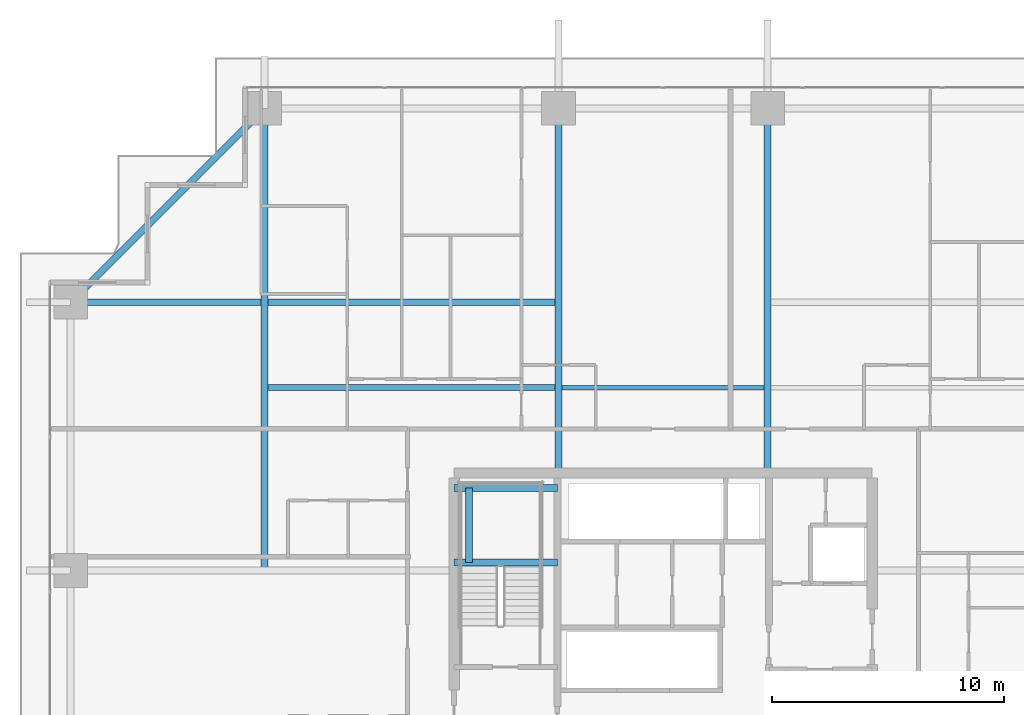
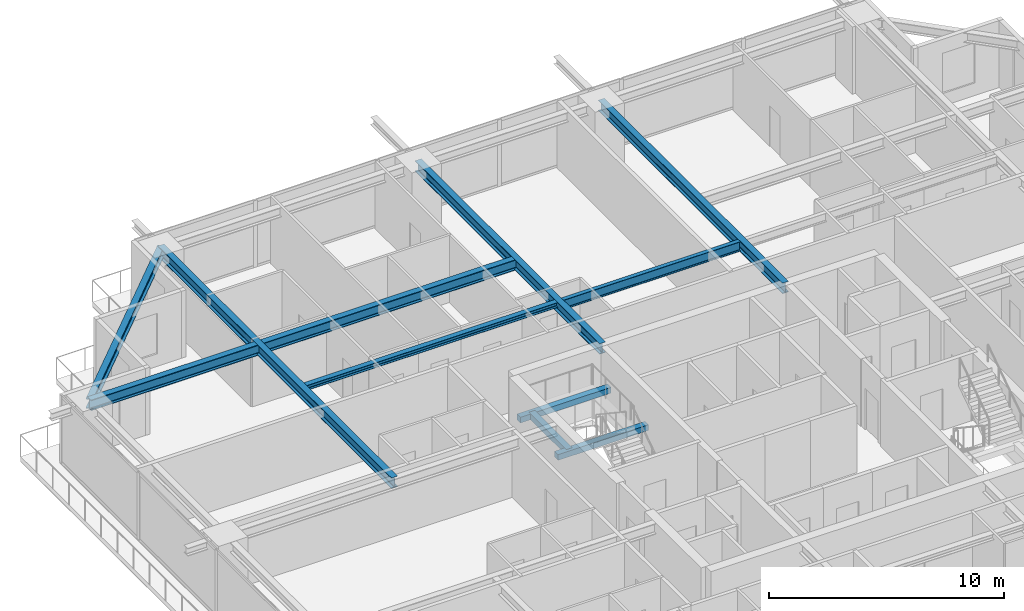
# One storey, part 19 of 39: 10 beams.
"""IFC4 building model written with IfcOpenShell, lengths in metres."""

import ifcopenshell
import ifcopenshell.guid

model = None  # the IFC model being written
_history = None  # IfcOwnerHistory: only IFC2X3 demands one
_inside = {}  # id of a spatial element -> (the spatial element, [elements in it])
_under = {}  # id of a project, library or spatial element -> (it, [spatial elements below it])
_declared = {}  # id of a project -> (the project, [libraries it declares])
_typed = {}  # id of a type object -> (the type object, [elements of that type])
_made_of = {}  # id of a material, layer set ... -> (it, [elements and type objects made of it])


def new_model(schema):
    """Start an empty IFC model of exactly this schema.

    Asked for "IFC4X3", IfcOpenShell would pick the latest addendum, in which some entities
    have other attributes; the version numbers below select the first issue.
    IFC2X3 requires an IfcOwnerHistory on every rooted entity: one is made here for all.
    """
    global model, _history
    if schema == "IFC4X3":
        model = ifcopenshell.file(schema_version=(4, 3, 0, 0))
    else:
        model = ifcopenshell.file(schema=schema)
    _inside.clear()
    _under.clear()
    _declared.clear()
    _typed.clear()
    _made_of.clear()
    _history = None
    if model.schema == "IFC2X3":
        org = make("IfcOrganization", Name="unknown")
        user = make(
            "IfcPersonAndOrganization",
            ThePerson=make("IfcPerson", FamilyName="unknown"),
            TheOrganization=org,
        )
        app = make(
            "IfcApplication",
            ApplicationDeveloper=org,
            Version="unknown",
            ApplicationFullName="unknown",
            ApplicationIdentifier="unknown",
        )
        _history = make(
            "IfcOwnerHistory",
            OwningUser=user,
            OwningApplication=app,
            ChangeAction="ADDED",
            CreationDate=0,
        )
    return model


def make(cls, **values):
    """One entity of the class cls with the attributes given. An attribute that is None is left unset."""
    return model.create_entity(
        cls, **{name: value for name, value in values.items() if value is not None}
    )


def rooted(cls, **values):
    """An entity with a GlobalId (a new one), such as an element, a storey or a relation."""
    return make(cls, GlobalId=ifcopenshell.guid.new(), OwnerHistory=_history, **values)


def si_unit(unit_type, name, prefix=None):
    """IfcSIUnit, for example si_unit("LENGTHUNIT", "METRE", prefix="MILLI")."""
    return make("IfcSIUnit", UnitType=unit_type, Prefix=prefix, Name=name)


def assignment(units):
    """IfcUnitAssignment: the units of a project."""
    return None if units is None else make("IfcUnitAssignment", Units=units)


def point(xyz):
    """IfcCartesianPoint."""
    return None if xyz is None else make("IfcCartesianPoint", Coordinates=xyz)


def direction(xyz):
    """IfcDirection."""
    return None if xyz is None else make("IfcDirection", DirectionRatios=xyz)


def frame(location, z_axis=None, x_axis=None):
    """IfcAxis2Placement3D, a coordinate frame: its origin and axes. An axis left out is left unset."""
    return make(
        "IfcAxis2Placement3D",
        Location=point(location),
        Axis=direction(z_axis),
        RefDirection=direction(x_axis),
    )


def frame_2d(location, x_axis=None):
    """IfcAxis2Placement2D, a coordinate frame in the plane: its origin and x axis."""
    return make(
        "IfcAxis2Placement2D", Location=point(location), RefDirection=direction(x_axis)
    )


def origin():
    """The frame at (0, 0, 0) with its axes left unset."""
    return frame((0.0, 0.0, 0.0))


def origin_2d():
    """The frame at (0, 0) in the plane with its x axis left unset."""
    return frame_2d((0.0, 0.0))


def place(relative_to, where):
    """IfcLocalPlacement: puts the frame where relative to a parent placement (None: the world)."""
    return make(
        "IfcLocalPlacement", PlacementRelTo=relative_to, RelativePlacement=where
    )


def context(
    kind, dimensions, precision=None, world=None, true_north=None, identifier=None
):
    """IfcGeometricRepresentationContext, for example the 3D "Model" context."""
    return make(
        "IfcGeometricRepresentationContext",
        ContextIdentifier=identifier,
        ContextType=kind,
        CoordinateSpaceDimension=dimensions,
        Precision=precision,
        WorldCoordinateSystem=world,
        TrueNorth=true_north,
    )


def subcontext(parent, identifier, kind, view, scale=None):
    """IfcGeometricRepresentationSubContext, for example "Body" below "Model"."""
    return make(
        "IfcGeometricRepresentationSubContext",
        ContextIdentifier=identifier,
        ContextType=kind,
        ParentContext=parent,
        TargetScale=scale,
        TargetView=view,
    )


def project(units=None, contexts=None):
    """IfcProject with its units and contexts."""
    return rooted(
        "IfcProject",
        Name="project",
        RepresentationContexts=contexts,
        UnitsInContext=assignment(units),
    )


def spatial(cls, under=None, at=None, **own):
    """A site, building, storey or space (cls), placed at a placement, below another one or the project."""
    s = rooted(cls, ObjectPlacement=at, **own)
    if under is not None:
        _under.setdefault(under.id(), (under, []))[1].append(s)
    return s


def profile(cls, at=None, kind="AREA", **sizes):
    """A parametric profile (cls). Its sizes go by their IFC names, for example OverallWidth=200.0."""
    return make(cls, ProfileType=kind, Position=at, **sizes)


def rectangle(**sizes):
    """IfcRectangleProfileDef."""
    return profile("IfcRectangleProfileDef", **sizes)


def i_section(**sizes):
    """IfcIShapeProfileDef."""
    return profile("IfcIShapeProfileDef", **sizes)


def extrude(swept, where, along, depth):
    """IfcExtrudedAreaSolid: the profile swept, set in the frame where, extruded along a direction by depth."""
    return make(
        "IfcExtrudedAreaSolid",
        SweptArea=swept,
        Position=where,
        ExtrudedDirection=direction(along),
        Depth=depth,
    )


def shape(context_of_items, identifier, shape_type, items):
    """IfcShapeRepresentation: the items that make up one representation, for example the "Body"."""
    return make(
        "IfcShapeRepresentation",
        ContextOfItems=context_of_items,
        RepresentationIdentifier=identifier,
        RepresentationType=shape_type,
        Items=items,
    )


def source(mapping_origin, context_of_items, identifier, shape_type, items):
    """IfcRepresentationMap: a shape defined once, which mapped items show again and again."""
    return make(
        "IfcRepresentationMap",
        MappingOrigin=mapping_origin,
        MappedRepresentation=shape(context_of_items, identifier, shape_type, items),
    )


def transform(
    local_origin,
    x_axis=None,
    y_axis=None,
    z_axis=None,
    scale=None,
    scale2=None,
    scale3=None,
    uniform=True,
):
    """IfcCartesianTransformationOperator3D, or its non-uniform kind. x_axis, y_axis, z_axis: its Axis1, 2, 3."""
    if uniform:
        return make(
            "IfcCartesianTransformationOperator3D",
            Axis1=direction(x_axis),
            Axis2=direction(y_axis),
            LocalOrigin=point(local_origin),
            Scale=scale,
            Axis3=direction(z_axis),
        )
    return make(
        "IfcCartesianTransformationOperator3DnonUniform",
        Axis1=direction(x_axis),
        Axis2=direction(y_axis),
        LocalOrigin=point(local_origin),
        Scale=scale,
        Axis3=direction(z_axis),
        Scale2=scale2,
        Scale3=scale3,
    )


def mapped(mapping_source, mapping_target):
    """IfcMappedItem: shows the shape of a source again, moved by a transform."""
    return make(
        "IfcMappedItem", MappingSource=mapping_source, MappingTarget=mapping_target
    )


def material(Name=None, Category=None):
    """IfcMaterial."""
    return make("IfcMaterial", Name=Name, Category=Category)


def material_profile(
    of_material, cross_section, Name=None, Category=None, Priority=None
):
    """IfcMaterialProfile: a cross section and its material."""
    return make(
        "IfcMaterialProfile",
        Name=Name,
        Material=of_material,
        Profile=cross_section,
        Priority=Priority,
        Category=Category,
    )


def profile_set(profiles, Name=None, composite=None):
    """IfcMaterialProfileSet."""
    return make(
        "IfcMaterialProfileSet",
        Name=Name,
        MaterialProfiles=profiles,
        CompositeProfile=composite,
    )


def made_of(thing, what):
    """Note that an element or type object is made of a material, layer set ...; save() writes the relation."""
    if what is not None:
        _made_of.setdefault(what.id(), (what, []))[1].append(thing)
    return thing


def type_object(cls, material=None, **own):
    """A type object (cls), such as IfcWallType, which elements share."""
    return made_of(rooted(cls, **own), material)


def element(
    cls,
    number,
    at=None,
    inside=None,
    cuts=None,
    type_object=None,
    material=None,
    context=None,
    identifier="Body",
    shape_type=None,
    held_by="IfcProductDefinitionShape",
    body=None,
    shapes=None,
    **own,
):
    """One element of the class cls, such as IfcWall. Its Tag is "e" and its number.

    at: its placement. inside: the storey or other place that contains it. cuts: it is an
    opening in that element (IfcRelVoidsElement). A single representation is given by context,
    identifier, shape_type and body (its items); several are given by shapes. held_by: the class
    of the entity that holds the representations. save() writes the other relations.
    """
    e = rooted(cls, Tag="e%d" % number, ObjectPlacement=at, **own)
    if body is not None:
        shapes = [shape(context, identifier, shape_type, body)]
    if shapes is not None:
        e.Representation = make(held_by, Representations=shapes)
    if inside is not None:
        _inside.setdefault(inside.id(), (inside, []))[1].append(e)
    if cuts is not None:
        rooted(
            "IfcRelVoidsElement", RelatingBuildingElement=cuts, RelatedOpeningElement=e
        )
    if type_object is not None:
        _typed.setdefault(type_object.id(), (type_object, []))[1].append(e)
    return made_of(e, material)


def aggregate(whole, parts):
    """IfcRelAggregates: a whole, such as a stair, and the parts it consists of."""
    return rooted("IfcRelAggregates", RelatingObject=whole, RelatedObjects=parts)


def save(model, path):
    """Write the relations noted so far, then the file.

    IfcRelAggregates (storeys below a building ...), IfcRelContainedInSpatialStructure (elements
    in a storey), IfcRelDefinesByType, IfcRelAssociatesMaterial and IfcRelDeclares: one each for
    every whole, place, type object, material and project.
    """
    for whole, parts in _under.values():
        aggregate(whole, parts)
    for where, things in _inside.values():
        rooted(
            "IfcRelContainedInSpatialStructure",
            RelatedElements=things,
            RelatingStructure=where,
        )
    for kind, things in _typed.values():
        rooted("IfcRelDefinesByType", RelatedObjects=things, RelatingType=kind)
    for what, things in _made_of.values():
        rooted("IfcRelAssociatesMaterial", RelatedObjects=things, RelatingMaterial=what)
    for by, libraries in _declared.values():
        rooted("IfcRelDeclares", RelatingContext=by, RelatedDefinitions=libraries)
    model.write(path)


model = new_model("IFC4")

# Units and contexts
model_context = context("Model", 3, precision=1e-05, world=origin(), true_north=direction((0.0, 1.0)))
body_context = subcontext(model_context, "Body", "Model", "MODEL_VIEW")
ifc_project = project(units=[si_unit("LENGTHUNIT", "METRE"), si_unit("AREAUNIT", "SQUARE_METRE"), si_unit("VOLUMEUNIT", "CUBIC_METRE"), si_unit("PLANEANGLEUNIT", "RADIAN"), si_unit("MASSUNIT", "GRAM", prefix="KILO")], contexts=[model_context])

# Site, building, storey
site_placement = place(None, origin())
site = spatial("IfcSite", under=ifc_project, at=site_placement, CompositionType="ELEMENT")
building_placement = place(site_placement, origin())
building = spatial("IfcBuilding", under=site, at=building_placement, Name="Serunith Strait Residences", CompositionType="ELEMENT")
storey_placement = place(building_placement, frame((0.0, 0.0, 79.199951171875)))
storey = spatial("IfcBuildingStorey", under=building, at=storey_placement, Name="L19", CompositionType="ELEMENT", Elevation=79.199951171875)

# Beams
ifc_material_1 = material(Name="Steel S355J2", Category="steel")
ifc_material_profile_1 = material_profile(ifc_material_1, i_section(OverallWidth=0.300048828125, OverallDepth=0.550048828125, WebThickness=0.014892578125, FlangeThickness=0.029052734375, FilletRadius=0.027099609375, at=origin_2d()), Name="HEB 550")
ifc_profile_set_1 = profile_set([ifc_material_profile_1], Name="Steel S355J2")
beam_type_1 = type_object("IfcBeamType", Name="BM-HEB550", PredefinedType="BEAM", material=ifc_profile_set_1)
shared_shape_1 = source(origin(), body_context, "Body", "SweptSolid", [
    extrude(i_section(OverallWidth=0.300048828125, OverallDepth=0.550048828125, WebThickness=0.014892578125, FlangeThickness=0.029052734375, FilletRadius=0.027099609375, at=origin_2d()), origin(), (0.0, 0.0, 1.0), 15.699951171875),
])
for number, where, z_axis, x_axis, name in (
    (1, (27.89990234375, 33.60009765625, 3.212158203125), (0.0, 1.0, 0.0), (-1.0, 0.0, 0.0), "L19 Primary Floor Girder TC-N2"),
    (2, (36.89990234375, 33.60009765625, 3.212158203125), (0.0, 1.0, 0.0), (-1.0, 0.0, 0.0), "L19 Primary Floor Girder TC-N3"),
):
    element("IfcBeam", number, at=place(storey_placement, frame(where, z_axis=z_axis, x_axis=x_axis)), inside=storey, type_object=beam_type_1, Name=name, PredefinedType="BEAM", context=body_context, shape_type="MappedRepresentation", body=[
        mapped(shared_shape_1, transform((0.0, 0.0, 0.0), scale=1.0)),
    ])
shared_shape_2 = source(origin(), body_context, "Body", "SweptSolid", [
    extrude(i_section(OverallWidth=0.300048828125, OverallDepth=0.550048828125, WebThickness=0.014892578125, FlangeThickness=0.029052734375, FilletRadius=0.027099609375, at=origin_2d()), origin(), (0.0, 0.0, 1.0), 19.900146484375),
])
beam_1_placement = place(storey_placement, frame((15.25, 29.39990234375, 3.212158203125), z_axis=(0.0, 1.0, 0.0), x_axis=(-1.0, 0.0, 0.0)))
element("IfcBeam", 3, at=beam_1_placement, inside=storey, type_object=beam_type_1, Name="L19 Orthogonal Corner Girder TC-N1", PredefinedType="BEAM", context=body_context, shape_type="MappedRepresentation", body=[
    mapped(shared_shape_2, transform((0.0, 0.0, 0.0), scale=1.0)),
])
shared_shape_3 = source(origin(), body_context, "Body", "SweptSolid", [
    extrude(i_section(OverallWidth=0.300048828125, OverallDepth=0.550048828125, WebThickness=0.014892578125, FlangeThickness=0.029052734375, FilletRadius=0.027099609375, at=origin_2d()), origin(), (0.0, 0.0, 1.0), 21.0),
])
beam_2_placement = place(storey_placement, frame((27.89990234375, 40.949951171875, 3.212158203125), z_axis=(-1.0, 0.0, 0.0), x_axis=(0.0, -1.0, 0.0)))
element("IfcBeam", 4, at=beam_2_placement, inside=storey, type_object=beam_type_1, Name="L19 Orthogonal Corner Girder TC-W4", PredefinedType="BEAM", context=body_context, shape_type="MappedRepresentation", body=[
    mapped(shared_shape_3, transform((0.0, 0.0, 0.0), scale=1.0)),
])
ifc_material_profile_2 = material_profile(ifc_material_1, i_section(OverallWidth=0.300048828125, OverallDepth=0.5, WebThickness=0.014404296875, FlangeThickness=0.028076171875, FilletRadius=0.027099609375, at=origin_2d()), Name="HEB 500")
ifc_profile_set_2 = profile_set([ifc_material_profile_2], Name="Steel S355J2")
beam_type_2 = type_object("IfcBeamType", Name="BM-HEB500", PredefinedType="BEAM", material=ifc_profile_set_2)
shared_shape_4 = source(origin(), body_context, "Body", "SweptSolid", [
    extrude(i_section(OverallWidth=0.300048828125, OverallDepth=0.5, WebThickness=0.014404296875, FlangeThickness=0.028076171875, FilletRadius=0.027099609375, at=origin_2d()), origin(), (0.0, 0.0, 1.0), 11.808837890625),
])
beam_3_placement = place(storey_placement, frame((15.25, 49.300048828125, 3.20703125), z_axis=(-0.707106781187, -0.707106781187, 0.0), x_axis=(0.707106781187, -0.707106781187, 0.0)))
element("IfcBeam", 5, at=beam_3_placement, inside=storey, type_object=beam_type_2, Name="L19 Perimeter Ring Beam 12", PredefinedType="BEAM", context=body_context, shape_type="MappedRepresentation", body=[
    mapped(shared_shape_4, transform((0.0, 0.0, 0.0), scale=1.0)),
])
ifc_material_profile_3 = material_profile(ifc_material_1, i_section(OverallWidth=0.260009765625, OverallDepth=0.260009765625, WebThickness=0.010009765625, FlangeThickness=0.017578125, FilletRadius=0.02392578125, at=origin_2d()), Name="HEB 260")
ifc_profile_set_3 = profile_set([ifc_material_profile_3], Name="Steel S355J2")
beam_type_3 = type_object("IfcBeamType", Name="BM-HEB260", PredefinedType="JOIST", material=ifc_profile_set_3)
shared_shape_5 = source(origin(), body_context, "Body", "SweptSolid", [
    extrude(i_section(OverallWidth=0.260009765625, OverallDepth=0.260009765625, WebThickness=0.010009765625, FlangeThickness=0.017578125, FilletRadius=0.02392578125, at=origin_2d()), origin(), (0.0, 0.0, 1.0), 12.35009765625),
])
beam_4_placement = place(storey_placement, frame((15.39990234375, 37.27490234375, 3.35693359375), z_axis=(1.0, 0.0, 0.0), x_axis=(0.0, 1.0, 0.0)))
element("IfcBeam", 6, at=beam_4_placement, inside=storey, type_object=beam_type_3, Name="L19 Composite Floor Joist 04", PredefinedType="JOIST", context=body_context, shape_type="MappedRepresentation", body=[
    mapped(shared_shape_5, transform((0.0, 0.0, 0.0), scale=1.0)),
])
ifc_material_profile_4 = material_profile(ifc_material_1, i_section(OverallWidth=0.199951171875, OverallDepth=0.5, WebThickness=0.01025390625, FlangeThickness=0.01611328125, FilletRadius=0.02099609375, at=origin_2d()), Name="IPE 500")
ifc_profile_set_4 = profile_set([ifc_material_profile_4], Name="Steel S355J2")
beam_type_4 = type_object("IfcBeamType", Name="BM-IPE500", PredefinedType="JOIST", material=ifc_profile_set_4)
shared_shape_6 = source(origin(), body_context, "Body", "SweptSolid", [
    extrude(i_section(OverallWidth=0.199951171875, OverallDepth=0.5, WebThickness=0.01025390625, FlangeThickness=0.01611328125, FilletRadius=0.02099609375, at=origin_2d()), origin(), (0.0, 0.0, 1.0), 8.699951171875),
])
beam_5_placement = place(storey_placement, frame((28.050048828125, 37.27490234375, 3.237060546875), z_axis=(1.0, 0.0, 0.0), x_axis=(0.0, 1.0, 0.0)))
element("IfcBeam", 7, at=beam_5_placement, inside=storey, type_object=beam_type_4, Name="L19 Composite Floor Joist 05", PredefinedType="JOIST", context=body_context, shape_type="MappedRepresentation", body=[
    mapped(shared_shape_6, transform((0.0, 0.0, 0.0), scale=1.0)),
])
ifc_material_2 = material(Name="Concrete C60/75", Category="concrete")
ifc_material_profile_5 = material_profile(ifc_material_2, rectangle(XDim=0.300048828125, YDim=0.300048828125, at=origin_2d()), Name="RC 300x300")
ifc_profile_set_5 = profile_set([ifc_material_profile_5], Name="Concrete C60/75")
beam_type_5 = type_object("IfcBeamType", Name="BM-LAND-300x300", PredefinedType="BEAM", material=ifc_profile_set_5)
shared_shape_7 = source(origin(), body_context, "Body", "SweptSolid", [
    extrude(rectangle(XDim=0.300048828125, YDim=0.300048828125, at=origin_2d()), origin(), (0.0, 0.0, 1.0), 4.4501953125),
])
for number, where, z_axis, x_axis, name in (
    (8, (23.39990234375, 29.75, 1.525146484375), (1.0, 0.0, 0.0), (0.0, 1.0, 0.0), "L19 ST-1 Landing Support Beam 1"),
    (9, (23.39990234375, 32.949951171875, 1.525146484375), (1.0, 0.0, 0.0), (0.0, 1.0, 0.0), "L19 ST-1 Landing Support Beam 2"),
):
    element("IfcBeam", number, at=place(storey_placement, frame(where, z_axis=z_axis, x_axis=x_axis)), inside=storey, type_object=beam_type_5, Name=name, PredefinedType="BEAM", context=body_context, shape_type="MappedRepresentation", body=[
        mapped(shared_shape_7, transform((0.0, 0.0, 0.0), scale=1.0)),
    ])
shared_shape_8 = source(origin(), body_context, "Body", "SweptSolid", [
    extrude(rectangle(XDim=0.300048828125, YDim=0.300048828125, at=origin_2d()), origin(), (0.0, 0.0, 1.0), 3.199951171875),
])
beam_6_placement = place(storey_placement, frame((24.050048828125, 29.75, 1.525146484375), z_axis=(0.0, 1.0, 0.0), x_axis=(-1.0, 0.0, 0.0)))
element("IfcBeam", 10, at=beam_6_placement, inside=storey, type_object=beam_type_5, Name="L19 ST-1 Landing Transverse Tie Beam", PredefinedType="BEAM", context=body_context, shape_type="MappedRepresentation", body=[
    mapped(shared_shape_8, transform((0.0, 0.0, 0.0), scale=1.0)),
])

save(model, "model.ifc")
